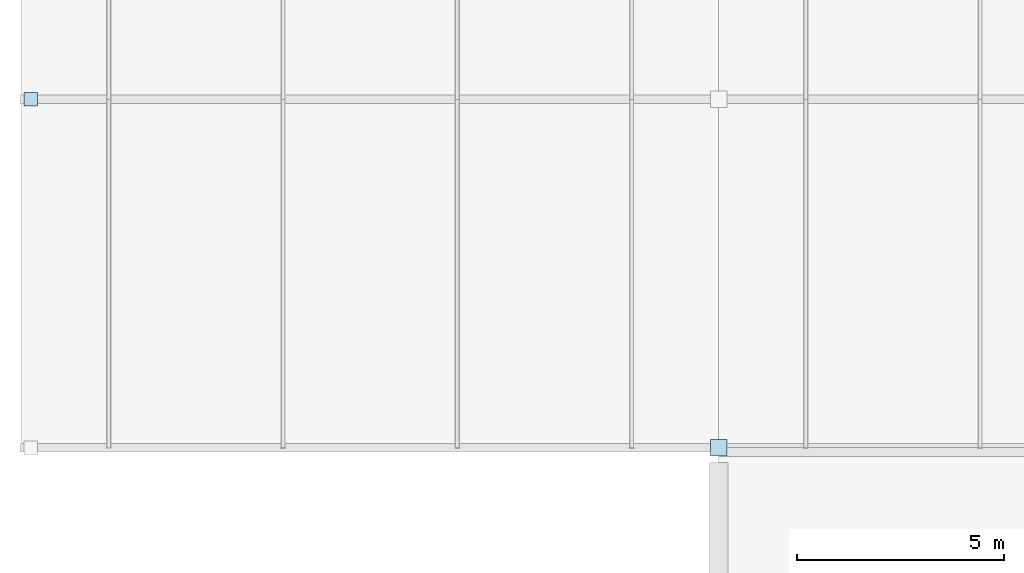
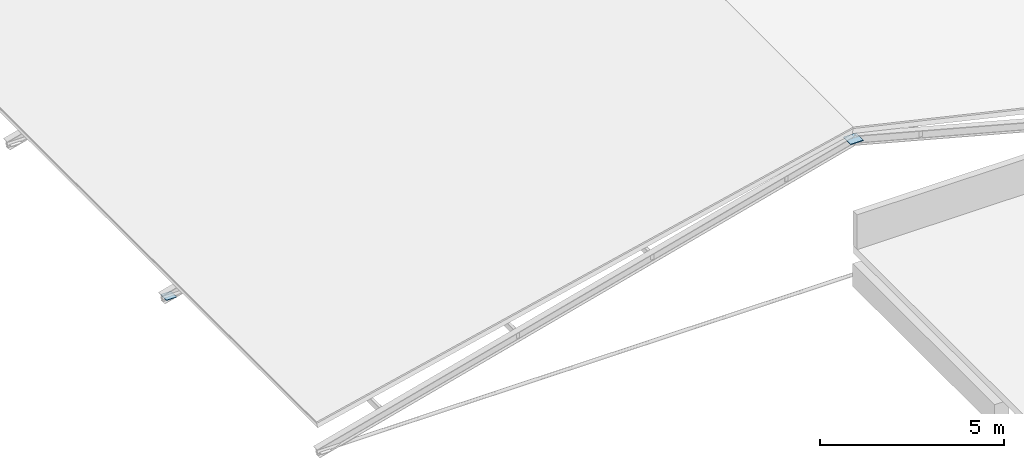
# One storey, part 20 of 42: 2 plates.
"""IFC4 building model written with IfcOpenShell, lengths in metres."""

from ifc_helpers import new_model, si_unit, derived_unit, direction, frame, origin, origin_2d, place, context, subcontext, project, spatial, rectangle, extrude, material, layer, layer_set, type_object, element, save


model = new_model("IFC4")

# Units and contexts
model_context = context("Model", 3, precision=1e-05, world=origin(), true_north=direction((0.0, 1.0)))
body_context = subcontext(model_context, "Body", "Model", "MODEL_VIEW")
ifc_project = project(units=[si_unit("LENGTHUNIT", "METRE"), si_unit("AREAUNIT", "SQUARE_METRE"), si_unit("VOLUMEUNIT", "CUBIC_METRE"), si_unit("PLANEANGLEUNIT", "RADIAN"), si_unit("MASSUNIT", "GRAM", prefix="KILO"), derived_unit("THERMALTRANSMITTANCEUNIT", [(si_unit("POWERUNIT", "WATT"), 1), (si_unit("LENGTHUNIT", "METRE"), -2), (si_unit("THERMODYNAMICTEMPERATUREUNIT", "KELVIN"), -1)])], contexts=[model_context])

# Site, building, storey
site_placement = place(None, origin())
site = spatial("IfcSite", under=ifc_project, at=site_placement, CompositionType="ELEMENT")
building_placement = place(site_placement, origin())
building = spatial("IfcBuilding", under=site, at=building_placement, Name="Barrovel Congress Hotel", CompositionType="ELEMENT")
storey_placement = place(building_placement, frame((0.0, 0.0, 18.300048828125)))
storey = spatial("IfcBuildingStorey", under=building, at=storey_placement, Name="L04", CompositionType="ELEMENT", Elevation=18.300048828125)

# Plates
ifc_material = material(Name="Steel ASTM A992 Grade 50", Category="steel")
ifc_layer_1 = layer(ifc_material, 0.01611328125)
ifc_layer_set_1 = layer_set([ifc_layer_1], Name="Steel ASTM A992 Grade 50")
plate_type_1 = type_object("IfcPlateType", Name="GP-16", PredefinedType="SHEET", material=ifc_layer_set_1)
plate_1_placement = place(storey_placement, frame((0.219970703125, 46.199951171875, -0.9580078125), z_axis=(0.0, 0.0, 1.0), x_axis=(1.0, 0.0, 0.0)))
element("IfcPlate", 1, at=plate_1_placement, inside=storey, type_object=plate_type_1, Name="V1-RAF-EGP:1:W", PredefinedType="SHEET", context=body_context, shape_type="SweptSolid", body=[
    extrude(rectangle(XDim=0.320068359375, YDim=0.320068359375, at=origin_2d()), origin(), (0.0, 0.0, 1.0), 0.01611328125),
])
ifc_layer_2 = layer(ifc_material, 0.02392578125)
ifc_layer_set_2 = layer_set([ifc_layer_2], Name="Steel ASTM A992 Grade 50")
plate_type_2 = type_object("IfcPlateType", Name="GP-24", PredefinedType="SHEET", material=ifc_layer_set_2)
plate_2_placement = place(storey_placement, frame((16.800048828125, 37.800048828125, 3.5224609375), z_axis=(0.0, 0.0, 1.0), x_axis=(1.0, 0.0, 0.0)))
element("IfcPlate", 2, at=plate_2_placement, inside=storey, type_object=plate_type_2, Name="V1-RAF-GP:0", PredefinedType="SHEET", context=body_context, shape_type="SweptSolid", body=[
    extrude(rectangle(XDim=0.39990234375, YDim=0.39990234375, at=origin_2d()), origin(), (0.0, 0.0, 1.0), 0.02392578125),
])

save(model, "model.ifc")
